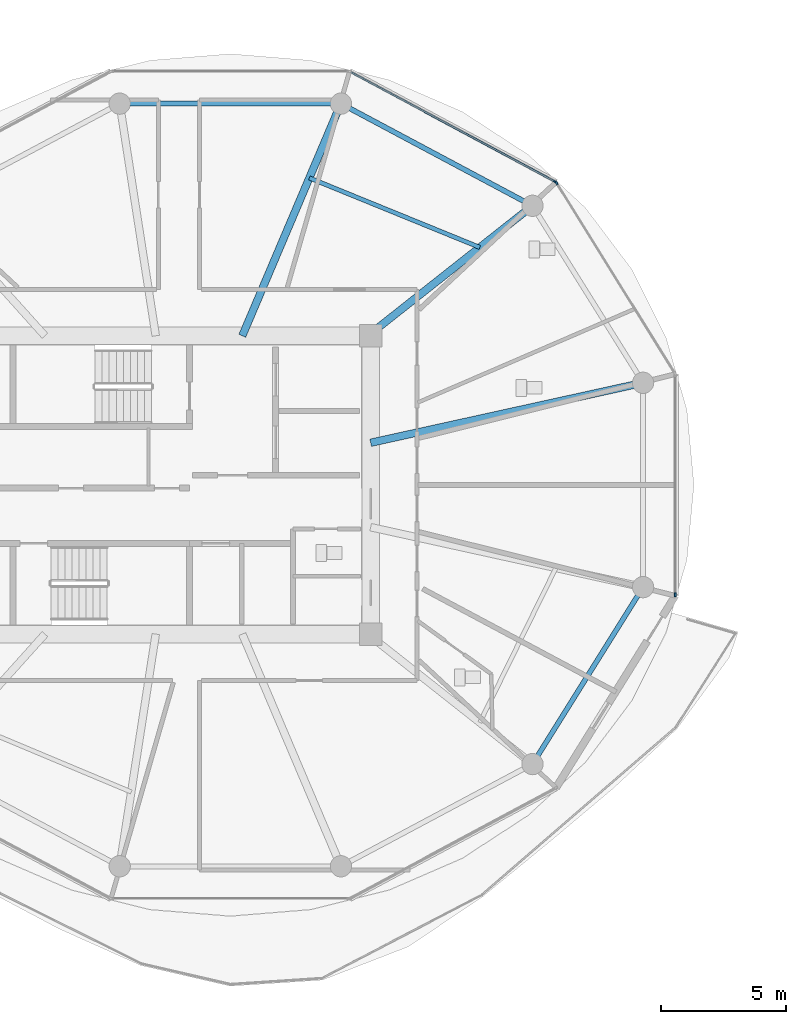
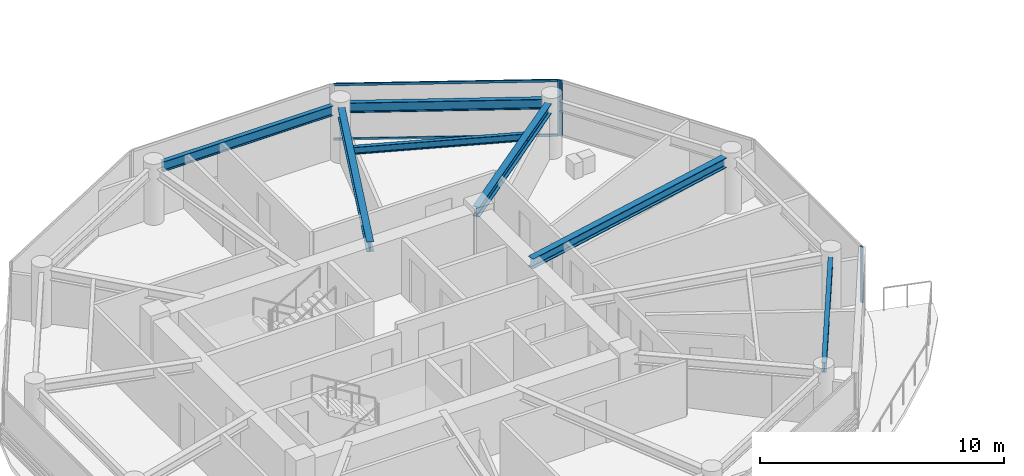
# One storey, part 5 of 24: 7 beams, 5 members, 3 elements without a shape of their own.
"""IFC4 building model written with IfcOpenShell, lengths in metres."""

import ifcopenshell
import ifcopenshell.guid

model = None  # the IFC model being written
_history = None  # IfcOwnerHistory: only IFC2X3 demands one
_inside = {}  # id of a spatial element -> (the spatial element, [elements in it])
_under = {}  # id of a project, library or spatial element -> (it, [spatial elements below it])
_declared = {}  # id of a project -> (the project, [libraries it declares])
_typed = {}  # id of a type object -> (the type object, [elements of that type])
_made_of = {}  # id of a material, layer set ... -> (it, [elements and type objects made of it])


def new_model(schema):
    """Start an empty IFC model of exactly this schema.

    Asked for "IFC4X3", IfcOpenShell would pick the latest addendum, in which some entities
    have other attributes; the version numbers below select the first issue.
    IFC2X3 requires an IfcOwnerHistory on every rooted entity: one is made here for all.
    """
    global model, _history
    if schema == "IFC4X3":
        model = ifcopenshell.file(schema_version=(4, 3, 0, 0))
    else:
        model = ifcopenshell.file(schema=schema)
    _inside.clear()
    _under.clear()
    _declared.clear()
    _typed.clear()
    _made_of.clear()
    _history = None
    if model.schema == "IFC2X3":
        org = make("IfcOrganization", Name="unknown")
        user = make(
            "IfcPersonAndOrganization",
            ThePerson=make("IfcPerson", FamilyName="unknown"),
            TheOrganization=org,
        )
        app = make(
            "IfcApplication",
            ApplicationDeveloper=org,
            Version="unknown",
            ApplicationFullName="unknown",
            ApplicationIdentifier="unknown",
        )
        _history = make(
            "IfcOwnerHistory",
            OwningUser=user,
            OwningApplication=app,
            ChangeAction="ADDED",
            CreationDate=0,
        )
    return model


def make(cls, **values):
    """One entity of the class cls with the attributes given. An attribute that is None is left unset."""
    return model.create_entity(
        cls, **{name: value for name, value in values.items() if value is not None}
    )


def rooted(cls, **values):
    """An entity with a GlobalId (a new one), such as an element, a storey or a relation."""
    return make(cls, GlobalId=ifcopenshell.guid.new(), OwnerHistory=_history, **values)


def si_unit(unit_type, name, prefix=None):
    """IfcSIUnit, for example si_unit("LENGTHUNIT", "METRE", prefix="MILLI")."""
    return make("IfcSIUnit", UnitType=unit_type, Prefix=prefix, Name=name)


def assignment(units):
    """IfcUnitAssignment: the units of a project."""
    return None if units is None else make("IfcUnitAssignment", Units=units)


def point(xyz):
    """IfcCartesianPoint."""
    return None if xyz is None else make("IfcCartesianPoint", Coordinates=xyz)


def direction(xyz):
    """IfcDirection."""
    return None if xyz is None else make("IfcDirection", DirectionRatios=xyz)


def frame(location, z_axis=None, x_axis=None):
    """IfcAxis2Placement3D, a coordinate frame: its origin and axes. An axis left out is left unset."""
    return make(
        "IfcAxis2Placement3D",
        Location=point(location),
        Axis=direction(z_axis),
        RefDirection=direction(x_axis),
    )


def frame_2d(location, x_axis=None):
    """IfcAxis2Placement2D, a coordinate frame in the plane: its origin and x axis."""
    return make(
        "IfcAxis2Placement2D", Location=point(location), RefDirection=direction(x_axis)
    )


def origin():
    """The frame at (0, 0, 0) with its axes left unset."""
    return frame((0.0, 0.0, 0.0))


def origin_2d():
    """The frame at (0, 0) in the plane with its x axis left unset."""
    return frame_2d((0.0, 0.0))


def place(relative_to, where):
    """IfcLocalPlacement: puts the frame where relative to a parent placement (None: the world)."""
    return make(
        "IfcLocalPlacement", PlacementRelTo=relative_to, RelativePlacement=where
    )


def context(
    kind, dimensions, precision=None, world=None, true_north=None, identifier=None
):
    """IfcGeometricRepresentationContext, for example the 3D "Model" context."""
    return make(
        "IfcGeometricRepresentationContext",
        ContextIdentifier=identifier,
        ContextType=kind,
        CoordinateSpaceDimension=dimensions,
        Precision=precision,
        WorldCoordinateSystem=world,
        TrueNorth=true_north,
    )


def subcontext(parent, identifier, kind, view, scale=None):
    """IfcGeometricRepresentationSubContext, for example "Body" below "Model"."""
    return make(
        "IfcGeometricRepresentationSubContext",
        ContextIdentifier=identifier,
        ContextType=kind,
        ParentContext=parent,
        TargetScale=scale,
        TargetView=view,
    )


def project(units=None, contexts=None):
    """IfcProject with its units and contexts."""
    return rooted(
        "IfcProject",
        Name="project",
        RepresentationContexts=contexts,
        UnitsInContext=assignment(units),
    )


def spatial(cls, under=None, at=None, **own):
    """A site, building, storey or space (cls), placed at a placement, below another one or the project."""
    s = rooted(cls, ObjectPlacement=at, **own)
    if under is not None:
        _under.setdefault(under.id(), (under, []))[1].append(s)
    return s


def profile(cls, at=None, kind="AREA", **sizes):
    """A parametric profile (cls). Its sizes go by their IFC names, for example OverallWidth=200.0."""
    return make(cls, ProfileType=kind, Position=at, **sizes)


def rectangle(**sizes):
    """IfcRectangleProfileDef."""
    return profile("IfcRectangleProfileDef", **sizes)


def i_section(**sizes):
    """IfcIShapeProfileDef."""
    return profile("IfcIShapeProfileDef", **sizes)


def extrude(swept, where, along, depth):
    """IfcExtrudedAreaSolid: the profile swept, set in the frame where, extruded along a direction by depth."""
    return make(
        "IfcExtrudedAreaSolid",
        SweptArea=swept,
        Position=where,
        ExtrudedDirection=direction(along),
        Depth=depth,
    )


def shape(context_of_items, identifier, shape_type, items):
    """IfcShapeRepresentation: the items that make up one representation, for example the "Body"."""
    return make(
        "IfcShapeRepresentation",
        ContextOfItems=context_of_items,
        RepresentationIdentifier=identifier,
        RepresentationType=shape_type,
        Items=items,
    )


def source(mapping_origin, context_of_items, identifier, shape_type, items):
    """IfcRepresentationMap: a shape defined once, which mapped items show again and again."""
    return make(
        "IfcRepresentationMap",
        MappingOrigin=mapping_origin,
        MappedRepresentation=shape(context_of_items, identifier, shape_type, items),
    )


def transform(
    local_origin,
    x_axis=None,
    y_axis=None,
    z_axis=None,
    scale=None,
    scale2=None,
    scale3=None,
    uniform=True,
):
    """IfcCartesianTransformationOperator3D, or its non-uniform kind. x_axis, y_axis, z_axis: its Axis1, 2, 3."""
    if uniform:
        return make(
            "IfcCartesianTransformationOperator3D",
            Axis1=direction(x_axis),
            Axis2=direction(y_axis),
            LocalOrigin=point(local_origin),
            Scale=scale,
            Axis3=direction(z_axis),
        )
    return make(
        "IfcCartesianTransformationOperator3DnonUniform",
        Axis1=direction(x_axis),
        Axis2=direction(y_axis),
        LocalOrigin=point(local_origin),
        Scale=scale,
        Axis3=direction(z_axis),
        Scale2=scale2,
        Scale3=scale3,
    )


def mapped(mapping_source, mapping_target):
    """IfcMappedItem: shows the shape of a source again, moved by a transform."""
    return make(
        "IfcMappedItem", MappingSource=mapping_source, MappingTarget=mapping_target
    )


def material(Name=None, Category=None):
    """IfcMaterial."""
    return make("IfcMaterial", Name=Name, Category=Category)


def layer(
    of_material, thickness, ventilated=None, Name=None, Category=None, Priority=None
):
    """IfcMaterialLayer: one layer of a wall or slab, of a material (None: an air gap)."""
    return make(
        "IfcMaterialLayer",
        Material=of_material,
        LayerThickness=thickness,
        IsVentilated=ventilated,
        Name=Name,
        Category=Category,
        Priority=Priority,
    )


def layer_set(layers, Name=None):
    """IfcMaterialLayerSet."""
    return make("IfcMaterialLayerSet", MaterialLayers=layers, LayerSetName=Name)


def material_profile(
    of_material, cross_section, Name=None, Category=None, Priority=None
):
    """IfcMaterialProfile: a cross section and its material."""
    return make(
        "IfcMaterialProfile",
        Name=Name,
        Material=of_material,
        Profile=cross_section,
        Priority=Priority,
        Category=Category,
    )


def profile_set(profiles, Name=None, composite=None):
    """IfcMaterialProfileSet."""
    return make(
        "IfcMaterialProfileSet",
        Name=Name,
        MaterialProfiles=profiles,
        CompositeProfile=composite,
    )


def made_of(thing, what):
    """Note that an element or type object is made of a material, layer set ...; save() writes the relation."""
    if what is not None:
        _made_of.setdefault(what.id(), (what, []))[1].append(thing)
    return thing


def type_object(cls, material=None, **own):
    """A type object (cls), such as IfcWallType, which elements share."""
    return made_of(rooted(cls, **own), material)


def type_shapes(of_type, sources):
    """Give a type object the sources (RepresentationMaps) that its elements show as mapped items."""
    of_type.RepresentationMaps = sources


def element(
    cls,
    number,
    at=None,
    inside=None,
    cuts=None,
    type_object=None,
    material=None,
    context=None,
    identifier="Body",
    shape_type=None,
    held_by="IfcProductDefinitionShape",
    body=None,
    shapes=None,
    **own,
):
    """One element of the class cls, such as IfcWall. Its Tag is "e" and its number.

    at: its placement. inside: the storey or other place that contains it. cuts: it is an
    opening in that element (IfcRelVoidsElement). A single representation is given by context,
    identifier, shape_type and body (its items); several are given by shapes. held_by: the class
    of the entity that holds the representations. save() writes the other relations.
    """
    e = rooted(cls, Tag="e%d" % number, ObjectPlacement=at, **own)
    if body is not None:
        shapes = [shape(context, identifier, shape_type, body)]
    if shapes is not None:
        e.Representation = make(held_by, Representations=shapes)
    if inside is not None:
        _inside.setdefault(inside.id(), (inside, []))[1].append(e)
    if cuts is not None:
        rooted(
            "IfcRelVoidsElement", RelatingBuildingElement=cuts, RelatedOpeningElement=e
        )
    if type_object is not None:
        _typed.setdefault(type_object.id(), (type_object, []))[1].append(e)
    return made_of(e, material)


def aggregate(whole, parts):
    """IfcRelAggregates: a whole, such as a stair, and the parts it consists of."""
    return rooted("IfcRelAggregates", RelatingObject=whole, RelatedObjects=parts)


def save(model, path):
    """Write the relations noted so far, then the file.

    IfcRelAggregates (storeys below a building ...), IfcRelContainedInSpatialStructure (elements
    in a storey), IfcRelDefinesByType, IfcRelAssociatesMaterial and IfcRelDeclares: one each for
    every whole, place, type object, material and project.
    """
    for whole, parts in _under.values():
        aggregate(whole, parts)
    for where, things in _inside.values():
        rooted(
            "IfcRelContainedInSpatialStructure",
            RelatedElements=things,
            RelatingStructure=where,
        )
    for kind, things in _typed.values():
        rooted("IfcRelDefinesByType", RelatedObjects=things, RelatingType=kind)
    for what, things in _made_of.values():
        rooted("IfcRelAssociatesMaterial", RelatedObjects=things, RelatingMaterial=what)
    for by, libraries in _declared.values():
        rooted("IfcRelDeclares", RelatingContext=by, RelatedDefinitions=libraries)
    model.write(path)


model = new_model("IFC4")

# Units and contexts
model_context = context("Model", 3, precision=1e-05, world=origin(), true_north=direction((0.0, 1.0)))
body_context = subcontext(model_context, "Body", "Model", "MODEL_VIEW")
ifc_project = project(units=[si_unit("LENGTHUNIT", "METRE"), si_unit("AREAUNIT", "SQUARE_METRE"), si_unit("VOLUMEUNIT", "CUBIC_METRE"), si_unit("PLANEANGLEUNIT", "RADIAN"), si_unit("MASSUNIT", "GRAM", prefix="KILO")], contexts=[model_context])

# Site, building, storey
site_placement = place(None, origin())
site = spatial("IfcSite", under=ifc_project, at=site_placement, CompositionType="ELEMENT")
building_placement = place(site_placement, origin())
building = spatial("IfcBuilding", under=site, at=building_placement, Name="Norrkilde Senior Care Towers", CompositionType="ELEMENT")
storey_placement = place(building_placement, frame((0.0, 0.0, 114.550048828125)))
storey = spatial("IfcBuildingStorey", under=building, at=storey_placement, Name="L35", CompositionType="ELEMENT", Elevation=114.550048828125)

# Beams
ifc_material_1 = material(Name="Steel S355", Category="steel")
ifc_material_profile_1 = material_profile(ifc_material_1, i_section(OverallWidth=0.199951171875, OverallDepth=0.5, WebThickness=0.01025390625, FlangeThickness=0.01611328125, FilletRadius=0.02099609375, at=origin_2d()), Name="IPE 500")
ifc_profile_set_1 = profile_set([ifc_material_profile_1], Name="Steel S355")
beam_type_1 = type_object("IfcBeamType", Name="Perimeter Ring Spandrel Z2 IPE500", PredefinedType="SPANDREL", material=ifc_profile_set_1)
shared_shape_1 = source(origin(), body_context, "Body", "SweptSolid", [
    extrude(i_section(OverallWidth=0.199951171875, OverallDepth=0.5, WebThickness=0.01025390625, FlangeThickness=0.01611328125, FilletRadius=0.02099609375, at=origin_2d()), origin(), (0.0, 0.0, 1.0), 7.55615234375),
])
beam_1_placement = place(storey_placement, frame((-13.689697265625, -10.810546875, 2.5400390625), z_axis=(0.529981514254, 0.848009194849, 0.0), x_axis=(-0.848009194849, 0.529981514254, 0.0)))
element("IfcBeam", 1, at=beam_1_placement, inside=storey, type_object=beam_type_1, Name="L35 Drum W Perimeter Spandrel 11", PredefinedType="SPANDREL", context=body_context, shape_type="MappedRepresentation", body=[
    mapped(shared_shape_1, transform((0.0, 0.0, 0.0), x_axis=(1.0, 0.0, 0.0), y_axis=(0.0, 1.0, 0.0), z_axis=(0.0, 0.0, 1.0), scale=1.0)),
])
ifc_material_profile_2 = material_profile(ifc_material_1, i_section(OverallWidth=0.300048828125, OverallDepth=0.5, WebThickness=0.014404296875, FlangeThickness=0.028076171875, FilletRadius=0.027099609375, at=origin_2d()), Name="HEB 500")
ifc_profile_set_2 = profile_set([ifc_material_profile_2], Name="Steel S355")
beam_type_2 = type_object("IfcBeamType", Name="Radial Floor Beam Z2 HEB500", PredefinedType="BEAM", material=ifc_profile_set_2)
shared_shape_2 = source(origin(), body_context, "Body", "SweptSolid", [
    extrude(i_section(OverallWidth=0.300048828125, OverallDepth=0.5, WebThickness=0.014404296875, FlangeThickness=0.028076171875, FilletRadius=0.027099609375, at=origin_2d()), origin(), (0.0, 0.0, 1.0), 10.744384765625),
])
beam_2_placement = place(storey_placement, frame((-20.35009765625, 1.683837890625, 2.5400390625), z_axis=(0.976618711422, 0.214978818724, 0.0), x_axis=(-0.214978818724, 0.976618711422, 0.0)))
element("IfcBeam", 2, at=beam_2_placement, inside=storey, type_object=beam_type_2, Name="L35 Drum W Radial Floor Beam 01", PredefinedType="BEAM", context=body_context, shape_type="MappedRepresentation", body=[
    mapped(shared_shape_2, transform((0.0, 0.0, 0.0), x_axis=(1.0, 0.0, 0.0), y_axis=(0.0, 1.0, 0.0), z_axis=(0.0, 0.0, 1.0), scale=1.0)),
])
shared_shape_3 = source(origin(), body_context, "Body", "SweptSolid", [
    extrude(i_section(OverallWidth=0.199951171875, OverallDepth=0.5, WebThickness=0.01025390625, FlangeThickness=0.01611328125, FilletRadius=0.02099609375, at=origin_2d()), origin(), (0.0, 0.0, 1.0), 7.892333984375),
])
beam_3_placement = place(storey_placement, frame((-14.233642578125, 11.318115234375, 2.5400390625), z_axis=(-0.882350372282, 0.47059305194, 0.0), x_axis=(-0.47059305194, -0.882350372282, 0.0)))
element("IfcBeam", 3, at=beam_3_placement, inside=storey, type_object=beam_type_1, Name="L35 Drum W Perimeter Spandrel 02", PredefinedType="SPANDREL", context=body_context, shape_type="MappedRepresentation", body=[
    mapped(shared_shape_3, transform((0.0, 0.0, 0.0), x_axis=(1.0, 0.0, 0.0), y_axis=(0.0, 1.0, 0.0), z_axis=(0.0, 0.0, 1.0), scale=1.0)),
])
shared_shape_4 = source(origin(), body_context, "Body", "SweptSolid", [
    extrude(i_section(OverallWidth=0.300048828125, OverallDepth=0.5, WebThickness=0.014404296875, FlangeThickness=0.028076171875, FilletRadius=0.027099609375, at=origin_2d()), origin(), (0.0, 0.0, 1.0), 7.985595703125),
])
beam_4_placement = place(storey_placement, frame((-20.463623046875, 5.949951171875, 2.5400390625), z_axis=(0.784858505144, 0.619675017169, 0.0), x_axis=(-0.619675017169, 0.784858505144, 0.0)))
element("IfcBeam", 4, at=beam_4_placement, inside=storey, type_object=beam_type_2, Name="L35 Drum W Radial Floor Beam 02", PredefinedType="BEAM", context=body_context, shape_type="MappedRepresentation", body=[
    mapped(shared_shape_4, transform((0.0, 0.0, 0.0), x_axis=(1.0, 0.0, 0.0), y_axis=(0.0, 1.0, 0.0), z_axis=(0.0, 0.0, 1.0), scale=1.0)),
])
shared_shape_5 = source(origin(), body_context, "Body", "SweptSolid", [
    extrude(i_section(OverallWidth=0.199951171875, OverallDepth=0.5, WebThickness=0.01025390625, FlangeThickness=0.01611328125, FilletRadius=0.02099609375, at=origin_2d()), origin(), (0.0, 0.0, 1.0), 8.0556640625),
])
type_shapes(beam_type_1, [shared_shape_1, shared_shape_3, shared_shape_5])
beam_5_placement = place(storey_placement, frame((-21.922119140625, 15.21337890625, 2.5400390625), z_axis=(-1.0, 0.0, 0.0), x_axis=(0.0, -1.0, 0.0)))
element("IfcBeam", 5, at=beam_5_placement, inside=storey, type_object=beam_type_1, Name="L35 Drum W Perimeter Spandrel 03", PredefinedType="SPANDREL", context=body_context, shape_type="MappedRepresentation", body=[
    mapped(shared_shape_5, transform((0.0, 0.0, 0.0), x_axis=(1.0, 0.0, 0.0), y_axis=(0.0, 1.0, 0.0), z_axis=(0.0, 0.0, 1.0), scale=1.0)),
])
shared_shape_6 = source(origin(), body_context, "Body", "SweptSolid", [
    extrude(i_section(OverallWidth=0.300048828125, OverallDepth=0.5, WebThickness=0.014404296875, FlangeThickness=0.028076171875, FilletRadius=0.027099609375, at=origin_2d()), origin(), (0.0, 0.0, 1.0), 9.679443359375),
])
type_shapes(beam_type_2, [shared_shape_2, shared_shape_4, shared_shape_6])
beam_6_placement = place(storey_placement, frame((-25.472412109375, 5.949951171875, 2.5400390625), z_axis=(0.390998033479, 0.920391513333, 0.0), x_axis=(-0.920391513333, 0.390998033479, 0.0)))
element("IfcBeam", 6, at=beam_6_placement, inside=storey, type_object=beam_type_2, Name="L35 Drum W Radial Floor Beam 03", PredefinedType="BEAM", context=body_context, shape_type="MappedRepresentation", body=[
    mapped(shared_shape_6, transform((0.0, 0.0, 0.0), x_axis=(1.0, 0.0, 0.0), y_axis=(0.0, 1.0, 0.0), z_axis=(0.0, 0.0, 1.0), scale=1.0)),
])
ifc_material_profile_3 = material_profile(ifc_material_1, i_section(OverallWidth=0.169921875, OverallDepth=0.360107421875, WebThickness=0.008056640625, FlangeThickness=0.0126953125, FilletRadius=0.01806640625, at=origin_2d()), Name="IPE 360")
ifc_profile_set_3 = profile_set([ifc_material_profile_3], Name="Steel S355")
beam_type_3 = type_object("IfcBeamType", Name="Secondary Floor Joist IPE360", PredefinedType="JOIST", material=ifc_profile_set_3)
shared_shape_7 = source(origin(), body_context, "Body", "SweptSolid", [
    extrude(i_section(OverallWidth=0.169921875, OverallDepth=0.360107421875, WebThickness=0.008056640625, FlangeThickness=0.0126953125, FilletRadius=0.01806640625, at=origin_2d()), origin(), (0.0, 0.0, 1.0), 7.343505859375),
])
type_shapes(beam_type_3, [shared_shape_7])
beam_7_placement = place(storey_placement, frame((-15.99609375, 9.47705078125, 2.60986328125), z_axis=(-0.926021784767, 0.377470070519, 0.0), x_axis=(-0.377470070519, -0.926021784767, 0.0)))
element("IfcBeam", 7, at=beam_7_placement, inside=storey, type_object=beam_type_3, Name="L35 Drum W Secondary Floor Joist 1", PredefinedType="JOIST", context=body_context, shape_type="MappedRepresentation", body=[
    mapped(shared_shape_7, transform((0.0, 0.0, 0.0), x_axis=(1.0, 0.0, 0.0), y_axis=(0.0, 1.0, 0.0), z_axis=(0.0, 0.0, 1.0), scale=1.0)),
])

# Curtain wall, member
ifc_material_2 = material(Name="Triple Low-E Insulated Glazing", Category="glass")
ifc_layer = layer(ifc_material_2, 0.195068359375)
ifc_layer_set = layer_set([ifc_layer], Name="Triple Low-E Insulated Glazing")
curtain_wall_type = type_object("IfcCurtainWallType", Name="CW3 Zone 2 Assisted Living Curtain Wall", PredefinedType="NOTDEFINED", material=ifc_layer_set)
curtain_wall_1_placement = place(storey_placement, origin())
curtain_wall_1 = element("IfcCurtainWall", 8, at=curtain_wall_1_placement, inside=storey, type_object=curtain_wall_type, Name="L35 Drum W Curtain Wall 00", PredefinedType="NOTDEFINED")
ifc_material_3 = material(Name="Anodised Aluminium", Category="aluminium")
ifc_material_profile_4 = material_profile(ifc_material_3, rectangle(XDim=0.06494140625, YDim=0.159912109375, at=origin_2d()), Name="ALU MULL 65x160")
ifc_profile_set_4 = profile_set([ifc_material_profile_4], Name="Anodised Aluminium")
member_type_1 = type_object("IfcMemberType", Name="Curtain Wall Mullion Z1-Z2 65x160", PredefinedType="MULLION", material=ifc_profile_set_4)
shared_shape_8 = source(origin(), body_context, "Body", "SweptSolid", [
    extrude(rectangle(XDim=0.06494140625, YDim=0.159912109375, at=origin_2d()), origin(), (0.0, 0.0, 1.0), 2.7900390625),
])
type_shapes(member_type_1, [shared_shape_8])
member_1_placement = place(storey_placement, frame((-12.936279296875, 12.0498046875, 0.0), z_axis=(0.0, 0.0, 1.0), x_axis=(0.849410171862, 0.527733228002, 0.0)))
member_1 = element("IfcMember", 9, at=member_1_placement, type_object=member_type_1, Name="CW-3 mullion 1", PredefinedType="MULLION", context=body_context, shape_type="MappedRepresentation", body=[
    mapped(shared_shape_8, transform((0.0, 0.0, 0.0), x_axis=(1.0, 0.0, 0.0), y_axis=(0.0, 1.0, 0.0), z_axis=(0.0, 0.0, 1.0), scale=1.0)),
])
aggregate(curtain_wall_1, [member_1])

curtain_wall_2_placement = place(storey_placement, origin())
curtain_wall_2 = element("IfcCurtainWall", 10, at=curtain_wall_2_placement, inside=storey, type_object=curtain_wall_type, Name="L35 Drum W Curtain Wall 01", PredefinedType="NOTDEFINED")
member_2_placement = place(storey_placement, frame((-12.98193359375, 12.0927734375, 0.0), z_axis=(0.0, 0.0, 1.0), x_axis=(0.472769402511, 0.881186184668, 0.0)))
member_2 = element("IfcMember", 11, at=member_2_placement, type_object=member_type_1, Name="CW-3 mullion 2", PredefinedType="MULLION", context=body_context, shape_type="MappedRepresentation", body=[
    mapped(shared_shape_8, transform((0.0, 0.0, 0.0), x_axis=(1.0, 0.0, 0.0), y_axis=(0.0, 1.0, 0.0), z_axis=(0.0, 0.0, 1.0), scale=1.0)),
])

curtain_wall_3_placement = place(storey_placement, origin())
curtain_wall_3 = element("IfcCurtainWall", 12, at=curtain_wall_3_placement, inside=storey, type_object=curtain_wall_type, Name="L35 Drum W Curtain Wall 11", PredefinedType="NOTDEFINED")
member_3_placement = place(storey_placement, frame((-8.1962890625, -4.38818359375, 0.0), z_axis=(0.0, 0.0, 1.0), x_axis=(1.0, 0.0, 0.0)))
member_3 = element("IfcMember", 13, at=member_3_placement, type_object=member_type_1, Name="CW-3 mullion 2", PredefinedType="MULLION", context=body_context, shape_type="MappedRepresentation", body=[
    mapped(shared_shape_8, transform((0.0, 0.0, 0.0), x_axis=(1.0, 0.0, 0.0), y_axis=(0.0, 1.0, 0.0), z_axis=(0.0, 0.0, 1.0), scale=1.0)),
])
aggregate(curtain_wall_3, [member_3])

# Member
ifc_material_profile_5 = material_profile(ifc_material_3, rectangle(XDim=0.06005859375, YDim=0.1201171875, at=origin_2d()), Name="ALU TRAN 60x120")
ifc_profile_set_5 = profile_set([ifc_material_profile_5], Name="Anodised Aluminium")
member_type_2 = type_object("IfcMemberType", Name="Curtain Wall Transom Typical 60x120", PredefinedType="USERDEFINED", material=ifc_profile_set_5)
shared_shape_9 = source(origin(), body_context, "Body", "SweptSolid", [
    extrude(rectangle(XDim=0.06005859375, YDim=0.1201171875, at=origin_2d()), origin(), (0.0, 0.0, 1.0), 9.220458984375),
])
type_shapes(member_type_2, [shared_shape_9])
member_4_placement = place(storey_placement, frame((-21.1357421875, 16.46728515625, 0.030029296875), z_axis=(0.881188517866, -0.472765053681, 0.0), x_axis=(0.472765053681, 0.881188517866, 0.0)))
member_4 = element("IfcMember", 14, at=member_4_placement, type_object=member_type_2, Name="CW-3 transom 1.1", ObjectType="TRANSOM", PredefinedType="USERDEFINED", context=body_context, shape_type="MappedRepresentation", body=[
    mapped(shared_shape_9, transform((0.0, 0.0, 0.0), x_axis=(1.0, 0.0, 0.0), y_axis=(0.0, 1.0, 0.0), z_axis=(0.0, 0.0, 1.0), scale=1.0)),
])

member_5_placement = place(storey_placement, frame((-21.1357421875, 16.46728515625, 2.760009765625), z_axis=(0.881188517866, -0.472765053681, 0.0), x_axis=(0.472765053681, 0.881188517866, 0.0)))
member_5 = element("IfcMember", 15, at=member_5_placement, type_object=member_type_2, Name="CW-3 transom 1.2", ObjectType="TRANSOM", PredefinedType="USERDEFINED", context=body_context, shape_type="MappedRepresentation", body=[
    mapped(shared_shape_9, transform((0.0, 0.0, 0.0), x_axis=(1.0, 0.0, 0.0), y_axis=(0.0, 1.0, 0.0), z_axis=(0.0, 0.0, 1.0), scale=1.0)),
])

aggregate(curtain_wall_2, [member_2, member_4, member_5])

save(model, "model.ifc")
